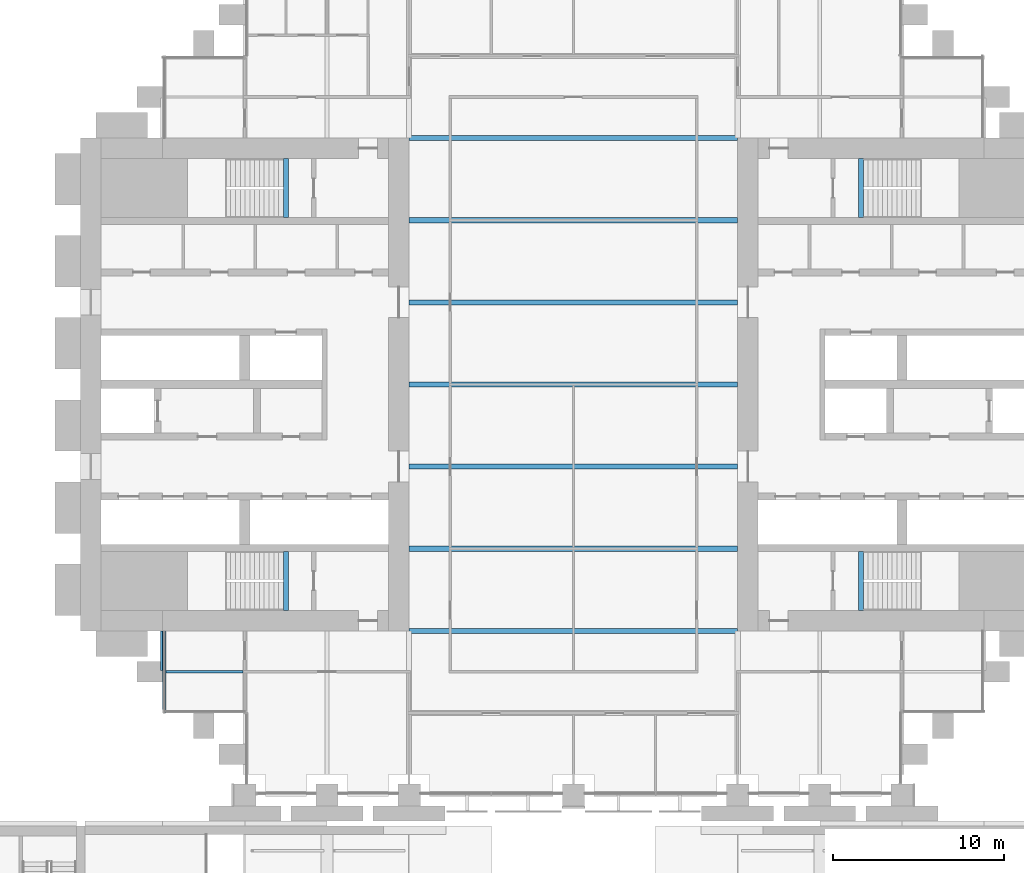
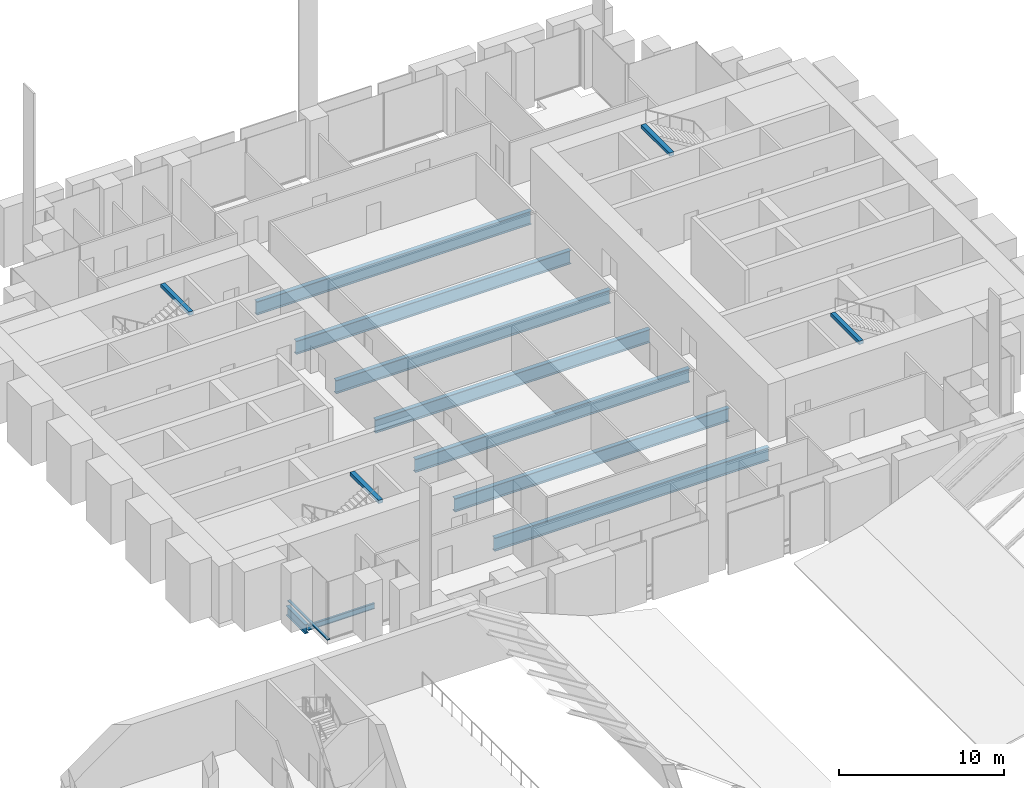
# One storey, part 9 of 32: 13 beams, 1 member, 1 element without a shape of its own.
"""IFC4 building model written with IfcOpenShell, lengths in metres."""

import ifcopenshell
import ifcopenshell.guid

model = None  # the IFC model being written
_history = None  # IfcOwnerHistory: only IFC2X3 demands one
_inside = {}  # id of a spatial element -> (the spatial element, [elements in it])
_under = {}  # id of a project, library or spatial element -> (it, [spatial elements below it])
_declared = {}  # id of a project -> (the project, [libraries it declares])
_typed = {}  # id of a type object -> (the type object, [elements of that type])
_made_of = {}  # id of a material, layer set ... -> (it, [elements and type objects made of it])


def new_model(schema):
    """Start an empty IFC model of exactly this schema.

    Asked for "IFC4X3", IfcOpenShell would pick the latest addendum, in which some entities
    have other attributes; the version numbers below select the first issue.
    IFC2X3 requires an IfcOwnerHistory on every rooted entity: one is made here for all.
    """
    global model, _history
    if schema == "IFC4X3":
        model = ifcopenshell.file(schema_version=(4, 3, 0, 0))
    else:
        model = ifcopenshell.file(schema=schema)
    _inside.clear()
    _under.clear()
    _declared.clear()
    _typed.clear()
    _made_of.clear()
    _history = None
    if model.schema == "IFC2X3":
        org = make("IfcOrganization", Name="unknown")
        user = make(
            "IfcPersonAndOrganization",
            ThePerson=make("IfcPerson", FamilyName="unknown"),
            TheOrganization=org,
        )
        app = make(
            "IfcApplication",
            ApplicationDeveloper=org,
            Version="unknown",
            ApplicationFullName="unknown",
            ApplicationIdentifier="unknown",
        )
        _history = make(
            "IfcOwnerHistory",
            OwningUser=user,
            OwningApplication=app,
            ChangeAction="ADDED",
            CreationDate=0,
        )
    return model


def make(cls, **values):
    """One entity of the class cls with the attributes given. An attribute that is None is left unset."""
    return model.create_entity(
        cls, **{name: value for name, value in values.items() if value is not None}
    )


def rooted(cls, **values):
    """An entity with a GlobalId (a new one), such as an element, a storey or a relation."""
    return make(cls, GlobalId=ifcopenshell.guid.new(), OwnerHistory=_history, **values)


def si_unit(unit_type, name, prefix=None):
    """IfcSIUnit, for example si_unit("LENGTHUNIT", "METRE", prefix="MILLI")."""
    return make("IfcSIUnit", UnitType=unit_type, Prefix=prefix, Name=name)


def assignment(units):
    """IfcUnitAssignment: the units of a project."""
    return None if units is None else make("IfcUnitAssignment", Units=units)


def point(xyz):
    """IfcCartesianPoint."""
    return None if xyz is None else make("IfcCartesianPoint", Coordinates=xyz)


def direction(xyz):
    """IfcDirection."""
    return None if xyz is None else make("IfcDirection", DirectionRatios=xyz)


def frame(location, z_axis=None, x_axis=None):
    """IfcAxis2Placement3D, a coordinate frame: its origin and axes. An axis left out is left unset."""
    return make(
        "IfcAxis2Placement3D",
        Location=point(location),
        Axis=direction(z_axis),
        RefDirection=direction(x_axis),
    )


def frame_2d(location, x_axis=None):
    """IfcAxis2Placement2D, a coordinate frame in the plane: its origin and x axis."""
    return make(
        "IfcAxis2Placement2D", Location=point(location), RefDirection=direction(x_axis)
    )


def origin():
    """The frame at (0, 0, 0) with its axes left unset."""
    return frame((0.0, 0.0, 0.0))


def origin_2d():
    """The frame at (0, 0) in the plane with its x axis left unset."""
    return frame_2d((0.0, 0.0))


def place(relative_to, where):
    """IfcLocalPlacement: puts the frame where relative to a parent placement (None: the world)."""
    return make(
        "IfcLocalPlacement", PlacementRelTo=relative_to, RelativePlacement=where
    )


def context(
    kind, dimensions, precision=None, world=None, true_north=None, identifier=None
):
    """IfcGeometricRepresentationContext, for example the 3D "Model" context."""
    return make(
        "IfcGeometricRepresentationContext",
        ContextIdentifier=identifier,
        ContextType=kind,
        CoordinateSpaceDimension=dimensions,
        Precision=precision,
        WorldCoordinateSystem=world,
        TrueNorth=true_north,
    )


def subcontext(parent, identifier, kind, view, scale=None):
    """IfcGeometricRepresentationSubContext, for example "Body" below "Model"."""
    return make(
        "IfcGeometricRepresentationSubContext",
        ContextIdentifier=identifier,
        ContextType=kind,
        ParentContext=parent,
        TargetScale=scale,
        TargetView=view,
    )


def project(units=None, contexts=None):
    """IfcProject with its units and contexts."""
    return rooted(
        "IfcProject",
        Name="project",
        RepresentationContexts=contexts,
        UnitsInContext=assignment(units),
    )


def spatial(cls, under=None, at=None, **own):
    """A site, building, storey or space (cls), placed at a placement, below another one or the project."""
    s = rooted(cls, ObjectPlacement=at, **own)
    if under is not None:
        _under.setdefault(under.id(), (under, []))[1].append(s)
    return s


def profile(cls, at=None, kind="AREA", **sizes):
    """A parametric profile (cls). Its sizes go by their IFC names, for example OverallWidth=200.0."""
    return make(cls, ProfileType=kind, Position=at, **sizes)


def rectangle(**sizes):
    """IfcRectangleProfileDef."""
    return profile("IfcRectangleProfileDef", **sizes)


def i_section(**sizes):
    """IfcIShapeProfileDef."""
    return profile("IfcIShapeProfileDef", **sizes)


def extrude(swept, where, along, depth):
    """IfcExtrudedAreaSolid: the profile swept, set in the frame where, extruded along a direction by depth."""
    return make(
        "IfcExtrudedAreaSolid",
        SweptArea=swept,
        Position=where,
        ExtrudedDirection=direction(along),
        Depth=depth,
    )


def shape(context_of_items, identifier, shape_type, items):
    """IfcShapeRepresentation: the items that make up one representation, for example the "Body"."""
    return make(
        "IfcShapeRepresentation",
        ContextOfItems=context_of_items,
        RepresentationIdentifier=identifier,
        RepresentationType=shape_type,
        Items=items,
    )


def material(Name=None, Category=None):
    """IfcMaterial."""
    return make("IfcMaterial", Name=Name, Category=Category)


def material_profile(
    of_material, cross_section, Name=None, Category=None, Priority=None
):
    """IfcMaterialProfile: a cross section and its material."""
    return make(
        "IfcMaterialProfile",
        Name=Name,
        Material=of_material,
        Profile=cross_section,
        Priority=Priority,
        Category=Category,
    )


def profile_set(profiles, Name=None, composite=None):
    """IfcMaterialProfileSet."""
    return make(
        "IfcMaterialProfileSet",
        Name=Name,
        MaterialProfiles=profiles,
        CompositeProfile=composite,
    )


def made_of(thing, what):
    """Note that an element or type object is made of a material, layer set ...; save() writes the relation."""
    if what is not None:
        _made_of.setdefault(what.id(), (what, []))[1].append(thing)
    return thing


def type_object(cls, material=None, **own):
    """A type object (cls), such as IfcWallType, which elements share."""
    return made_of(rooted(cls, **own), material)


def element(
    cls,
    number,
    at=None,
    inside=None,
    cuts=None,
    type_object=None,
    material=None,
    context=None,
    identifier="Body",
    shape_type=None,
    held_by="IfcProductDefinitionShape",
    body=None,
    shapes=None,
    **own,
):
    """One element of the class cls, such as IfcWall. Its Tag is "e" and its number.

    at: its placement. inside: the storey or other place that contains it. cuts: it is an
    opening in that element (IfcRelVoidsElement). A single representation is given by context,
    identifier, shape_type and body (its items); several are given by shapes. held_by: the class
    of the entity that holds the representations. save() writes the other relations.
    """
    e = rooted(cls, Tag="e%d" % number, ObjectPlacement=at, **own)
    if body is not None:
        shapes = [shape(context, identifier, shape_type, body)]
    if shapes is not None:
        e.Representation = make(held_by, Representations=shapes)
    if inside is not None:
        _inside.setdefault(inside.id(), (inside, []))[1].append(e)
    if cuts is not None:
        rooted(
            "IfcRelVoidsElement", RelatingBuildingElement=cuts, RelatedOpeningElement=e
        )
    if type_object is not None:
        _typed.setdefault(type_object.id(), (type_object, []))[1].append(e)
    return made_of(e, material)


def aggregate(whole, parts):
    """IfcRelAggregates: a whole, such as a stair, and the parts it consists of."""
    return rooted("IfcRelAggregates", RelatingObject=whole, RelatedObjects=parts)


def save(model, path):
    """Write the relations noted so far, then the file.

    IfcRelAggregates (storeys below a building ...), IfcRelContainedInSpatialStructure (elements
    in a storey), IfcRelDefinesByType, IfcRelAssociatesMaterial and IfcRelDeclares: one each for
    every whole, place, type object, material and project.
    """
    for whole, parts in _under.values():
        aggregate(whole, parts)
    for where, things in _inside.values():
        rooted(
            "IfcRelContainedInSpatialStructure",
            RelatedElements=things,
            RelatingStructure=where,
        )
    for kind, things in _typed.values():
        rooted("IfcRelDefinesByType", RelatedObjects=things, RelatingType=kind)
    for what, things in _made_of.values():
        rooted("IfcRelAssociatesMaterial", RelatedObjects=things, RelatingMaterial=what)
    for by, libraries in _declared.values():
        rooted("IfcRelDeclares", RelatingContext=by, RelatedDefinitions=libraries)
    model.write(path)


model = new_model("IFC4")

# Units and contexts
model_context = context("Model", 3, precision=1e-05, world=origin(), true_north=direction((0.0, 1.0)))
body_context = subcontext(model_context, "Body", "Model", "MODEL_VIEW")
ifc_project = project(units=[si_unit("LENGTHUNIT", "METRE"), si_unit("AREAUNIT", "SQUARE_METRE"), si_unit("VOLUMEUNIT", "CUBIC_METRE"), si_unit("PLANEANGLEUNIT", "RADIAN"), si_unit("MASSUNIT", "GRAM", prefix="KILO")], contexts=[model_context])

# Site, building, storey
site_placement = place(None, origin())
site = spatial("IfcSite", under=ifc_project, at=site_placement, CompositionType="ELEMENT")
building_placement = place(site_placement, origin())
building = spatial("IfcBuilding", under=site, at=building_placement, Name="Baori Bourse Tower", CompositionType="ELEMENT")
storey_placement = place(building_placement, frame((0.0, 0.0, 12.60009765625)))
storey = spatial("IfcBuildingStorey", under=building, at=storey_placement, Name="L01", CompositionType="ELEMENT", Elevation=12.60009765625)

# Curtain wall, member
ifc_material_1 = material(Name="Pale anodised aluminium", Category="aluminium")
curtain_wall_type = type_object("IfcCurtainWallType", Name="CW2 Curtain wall", PredefinedType="NOTDEFINED", material=ifc_material_1)
curtain_wall_placement = place(storey_placement, origin())
curtain_wall = element("IfcCurtainWall", 1, at=curtain_wall_placement, inside=storey, type_object=curtain_wall_type, Name="Curtain wall CW2 L01 8", PredefinedType="NOTDEFINED")
ifc_material_2 = material(Name="Pale anodised aluminium", Category="aluminium")
ifc_material_profile_1 = material_profile(ifc_material_2, rectangle(XDim=0.179931640625, YDim=0.070068359375, at=origin_2d()), Name="Transom 70x180")
ifc_profile_set_1 = profile_set([ifc_material_profile_1], Name="Pale anodised aluminium")
member_type = type_object("IfcMemberType", Name="CW2 Curtain wall transom", PredefinedType="USERDEFINED", material=ifc_profile_set_1)
member_placement = place(storey_placement, frame((4.889892578125, 9.60009765625, 0.034912109375), z_axis=(0.0, -1.0, 0.0), x_axis=(1.0, 0.0, 0.0)))
member = element("IfcMember", 2, at=member_placement, type_object=member_type, Name="Curtain wall CW2 sill rail", ObjectType="TRANSOM", PredefinedType="USERDEFINED", context=body_context, shape_type="SweptSolid", body=[
    extrude(rectangle(XDim=0.179931640625, YDim=0.070068359375, at=origin_2d()), origin(), (0.0, 0.0, 1.0), 4.800048828125),
])
aggregate(curtain_wall, [member])

# Beams
ifc_material_3 = material(Name="Steel A992 Gr 50", Category="steel")
ifc_material_profile_2 = material_profile(ifc_material_3, i_section(OverallWidth=0.25390625, OverallDepth=0.67822265625, WebThickness=0.01171875, FlangeThickness=0.016357421875, at=origin_2d()), Name="W27x84")
ifc_profile_set_2 = profile_set([ifc_material_profile_2], Name="Steel A992 Gr 50")
beam_type_1 = type_object("IfcBeamType", Name="Core bracket W27x84", PredefinedType="BEAM", material=ifc_profile_set_2)
beam_1_placement = place(storey_placement, frame((4.800048828125, 7.270263671875, -0.63916015625), z_axis=(0.0, 1.0, 0.0), x_axis=(-1.0, 0.0, 0.0)))
element("IfcBeam", 3, at=beam_1_placement, inside=storey, type_object=beam_type_1, Name="Core bracket L01", PredefinedType="BEAM", context=body_context, shape_type="SweptSolid", body=[
    extrude(i_section(OverallWidth=0.25390625, OverallDepth=0.67822265625, WebThickness=0.01171875, FlangeThickness=0.016357421875, at=origin_2d()), origin(), (0.0, 0.0, 1.0), 2.329833984375),
])
ifc_material_4 = material(Name="Steel A992 Gr 50", Category="steel")
ifc_material_profile_3 = material_profile(ifc_material_4, i_section(OverallWidth=0.2998046875, OverallDepth=0.990478515625, WebThickness=0.0166015625, FlangeThickness=0.030517578125, at=origin_2d()), Name="W40x183")
ifc_profile_set_3 = profile_set([ifc_material_profile_3], Name="Steel A992 Gr 50")
beam_type_2 = type_object("IfcBeamType", Name="Floor beam W40x183", PredefinedType="BEAM", material=ifc_profile_set_3)
for number, where, z_axis, x_axis, name in (
    (4, (19.199951171875, 9.60009765625, -0.79541015625), (1.0, 0.0, 0.0), (0.0, 1.0, 0.0), "Floor beam L01"),
    (5, (19.199951171875, 14.39990234375, -0.79541015625), (1.0, 0.0, 0.0), (0.0, 1.0, 0.0), "Floor beam L01"),
    (6, (19.199951171875, 19.199951171875, -0.79541015625), (1.0, 0.0, 0.0), (0.0, 1.0, 0.0), "Floor beam L01"),
    (7, (19.199951171875, 24.0, -0.79541015625), (1.0, 0.0, 0.0), (0.0, 1.0, 0.0), "Floor beam L01"),
    (8, (19.199951171875, 28.800048828125, -0.79541015625), (1.0, 0.0, 0.0), (0.0, 1.0, 0.0), "Floor beam L01"),
    (9, (19.199951171875, 33.60009765625, -0.79541015625), (1.0, 0.0, 0.0), (0.0, 1.0, 0.0), "Floor beam L01"),
    (10, (19.199951171875, 38.39990234375, -0.79541015625), (1.0, 0.0, 0.0), (0.0, 1.0, 0.0), "Floor beam L01"),
):
    element("IfcBeam", number, at=place(storey_placement, frame(where, z_axis=z_axis, x_axis=x_axis)), inside=storey, type_object=beam_type_2, Name=name, PredefinedType="BEAM", context=body_context, shape_type="SweptSolid", body=[
        extrude(i_section(OverallWidth=0.2998046875, OverallDepth=0.990478515625, WebThickness=0.0166015625, FlangeThickness=0.030517578125, at=origin_2d()), origin(), (0.0, 0.0, 1.0), 19.199951171875),
    ])
ifc_material_5 = material(Name="Concrete f'c 50 MPa", Category="concrete")
ifc_material_profile_4 = material_profile(ifc_material_5, rectangle(XDim=0.300048828125, YDim=0.25, at=origin_2d()), Name="RC 300x250")
ifc_profile_set_4 = profile_set([ifc_material_profile_4], Name="Concrete f'c 50 MPa")
beam_type_3 = type_object("IfcBeamType", Name="Stair nib beam RC 300x250", PredefinedType="BEAM", material=ifc_profile_set_4)
for number, where, z_axis, x_axis, name in (
    (11, (12.0, 10.800048828125, 4.114990234375), (0.0, 1.0, 0.0), (-1.0, 0.0, 0.0), "Stair WA nib beam L02"),
    (12, (12.0, 33.75, 4.114990234375), (0.0, 1.0, 0.0), (-1.0, 0.0, 0.0), "Stair WB nib beam L02"),
    (13, (45.60009765625, 10.800048828125, 4.114990234375), (0.0, 1.0, 0.0), (-1.0, 0.0, 0.0), "Stair EA nib beam L02"),
    (14, (45.60009765625, 33.75, 4.114990234375), (0.0, 1.0, 0.0), (-1.0, 0.0, 0.0), "Stair EB nib beam L02"),
):
    element("IfcBeam", number, at=place(storey_placement, frame(where, z_axis=z_axis, x_axis=x_axis)), inside=storey, type_object=beam_type_3, Name=name, PredefinedType="BEAM", context=body_context, shape_type="SweptSolid", body=[
        extrude(rectangle(XDim=0.300048828125, YDim=0.25, at=origin_2d()), origin(), (0.0, 0.0, 1.0), 3.449951171875),
    ])
ifc_material_6 = material(Name="Steel A992 Gr 50", Category="steel")
ifc_material_profile_5 = material_profile(ifc_material_6, i_section(OverallWidth=0.140380859375, OverallDepth=0.40380859375, WebThickness=0.007080078125, FlangeThickness=0.01123046875, at=origin_2d()), Name="W16x31")
ifc_profile_set_5 = profile_set([ifc_material_profile_5], Name="Steel A992 Gr 50")
beam_type_4 = type_object("IfcBeamType", Name="Trimmer beam W16x31", PredefinedType="BEAM", material=ifc_profile_set_5)
beam_2_placement = place(storey_placement, frame((4.800048828125, 7.199951171875, -0.501953125), z_axis=(1.0, 0.0, 0.0), x_axis=(0.0, 1.0, 0.0)))
element("IfcBeam", 15, at=beam_2_placement, inside=storey, type_object=beam_type_4, Name="Trimmer beam L01", PredefinedType="BEAM", context=body_context, shape_type="SweptSolid", body=[
    extrude(i_section(OverallWidth=0.140380859375, OverallDepth=0.40380859375, WebThickness=0.007080078125, FlangeThickness=0.01123046875, at=origin_2d()), origin(), (0.0, 0.0, 1.0), 4.685302734375),
])

save(model, "model.ifc")
